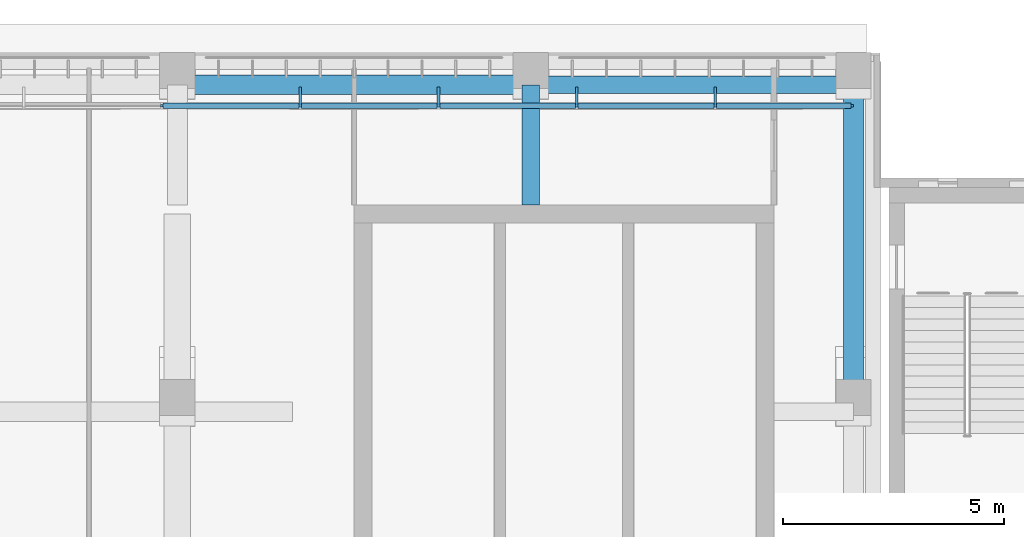
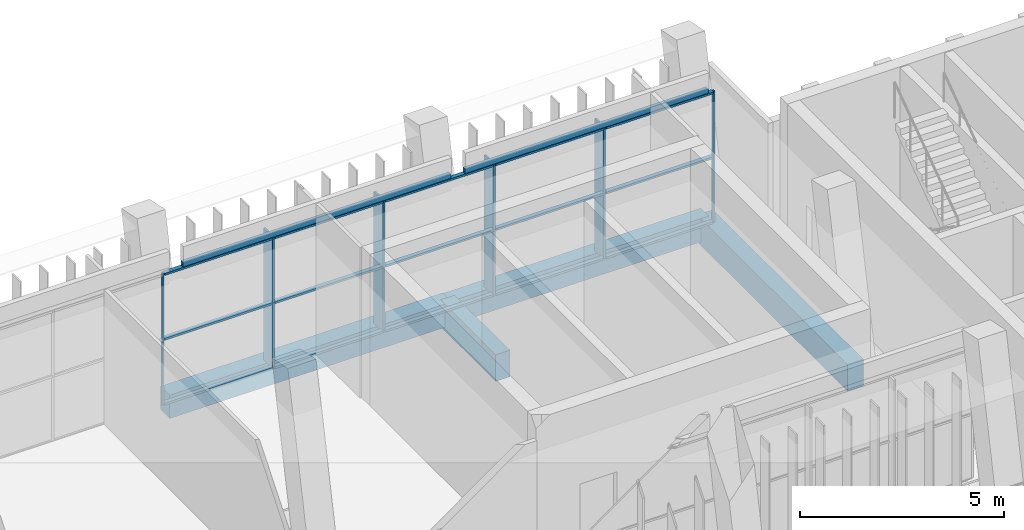
# One storey, part 47 of 89: 21 members, 6 beams, 1 element without a shape of its own.
"""IFC4 building model written with IfcOpenShell, lengths in metres."""

from ifc_helpers import new_model, si_unit, direction, frame, origin, origin_2d, place, context, subcontext, project, spatial, rectangle, hollow_rectangle, extrude, material, material_profile, profile_set, type_object, element, aggregate, save


model = new_model("IFC4")

# Units and contexts
model_context = context("Model", 3, precision=1e-05, world=origin(), true_north=direction((0.0, 1.0)))
body_context = subcontext(model_context, "Body", "Model", "MODEL_VIEW")
ifc_project = project(units=[si_unit("LENGTHUNIT", "METRE"), si_unit("AREAUNIT", "SQUARE_METRE"), si_unit("VOLUMEUNIT", "CUBIC_METRE"), si_unit("PLANEANGLEUNIT", "RADIAN"), si_unit("MASSUNIT", "GRAM", prefix="KILO")], contexts=[model_context])

# Site, building, storey
site_placement = place(None, origin())
site = spatial("IfcSite", under=ifc_project, at=site_placement, CompositionType="ELEMENT")
building_placement = place(site_placement, origin())
building = spatial("IfcBuilding", under=site, at=building_placement, Name="Lantern Court Media Centre", CompositionType="ELEMENT")
storey_placement = place(building_placement, frame((0.0, 0.0, 14.39990234375)))
storey = spatial("IfcBuildingStorey", under=building, at=storey_placement, Name="L03", CompositionType="ELEMENT", Elevation=14.39990234375)

# Curtain wall, members
ifc_material_1 = material(Name="Curtain wall bay 3000")
curtain_wall_type = type_object("IfcCurtainWallType", Name="Curtain wall bay 3000", PredefinedType="NOTDEFINED", material=ifc_material_1)
curtain_wall_placement = place(storey_placement, origin())
curtain_wall = element("IfcCurtainWall", 1, at=curtain_wall_placement, inside=storey, type_object=curtain_wall_type, Name="Curtain wall N outer L03", PredefinedType="NOTDEFINED")
ifc_material_2 = material(Name="Anodised aluminium", Category="aluminium")
ifc_material_profile_1 = material_profile(ifc_material_2, rectangle(XDim=0.449951171875, YDim=0.06005859375, at=origin_2d()), Name="AL 60x450")
ifc_profile_set_1 = profile_set([ifc_material_profile_1], Name="Anodised aluminium")
member_type_1 = type_object("IfcMemberType", Name="Curtain wall mullion 60x450", PredefinedType="MULLION", material=ifc_profile_set_1)
member_1_placement = place(storey_placement, frame((66.780029296875, 114.044921875, 0.0), z_axis=(0.0, 0.0, 1.0), x_axis=(0.0, 1.0, 0.0)))
member_1 = element("IfcMember", 2, at=member_1_placement, type_object=member_type_1, Name="CW1 mullion 7", PredefinedType="MULLION", context=body_context, shape_type="SweptSolid", body=[
    extrude(rectangle(XDim=0.449951171875, YDim=0.06005859375, at=origin_2d()), origin(), (0.0, 0.0, 1.0), 3.9501953125),
])
member_2_placement = place(storey_placement, frame((69.909912109375, 114.044921875, 0.0), z_axis=(0.0, 0.0, 1.0), x_axis=(0.0, 1.0, 0.0)))
member_2 = element("IfcMember", 3, at=member_2_placement, type_object=member_type_1, Name="CW1 mullion 8", PredefinedType="MULLION", context=body_context, shape_type="SweptSolid", body=[
    extrude(rectangle(XDim=0.449951171875, YDim=0.06005859375, at=origin_2d()), origin(), (0.0, 0.0, 1.0), 3.9501953125),
])
member_3_placement = place(storey_placement, frame((73.0400390625, 114.044921875, 0.0), z_axis=(0.0, 0.0, 1.0), x_axis=(0.0, 1.0, 0.0)))
member_3 = element("IfcMember", 4, at=member_3_placement, type_object=member_type_1, Name="CW1 mullion 9", PredefinedType="MULLION", context=body_context, shape_type="SweptSolid", body=[
    extrude(rectangle(XDim=0.449951171875, YDim=0.06005859375, at=origin_2d()), origin(), (0.0, 0.0, 1.0), 3.9501953125),
])
member_4_placement = place(storey_placement, frame((76.169921875, 114.044921875, 0.0), z_axis=(0.0, 0.0, 1.0), x_axis=(0.0, 1.0, 0.0)))
member_4 = element("IfcMember", 5, at=member_4_placement, type_object=member_type_1, Name="CW1 mullion 10", PredefinedType="MULLION", context=body_context, shape_type="SweptSolid", body=[
    extrude(rectangle(XDim=0.449951171875, YDim=0.06005859375, at=origin_2d()), origin(), (0.0, 0.0, 1.0), 3.9501953125),
])
ifc_material_profile_2 = material_profile(ifc_material_2, rectangle(XDim=0.06005859375, YDim=0.06005859375, at=origin_2d()), Name="AL 60x60")
ifc_profile_set_2 = profile_set([ifc_material_profile_2], Name="Anodised aluminium")
member_type_2 = type_object("IfcMemberType", Name="Curtain wall mullion 60x60", PredefinedType="MULLION", material=ifc_profile_set_2)
member_5_placement = place(storey_placement, frame((63.64990234375, 113.85009765625, 0.0), z_axis=(0.0, 0.0, 1.0), x_axis=(0.0, 1.0, 0.0)))
member_5 = element("IfcMember", 6, at=member_5_placement, type_object=member_type_2, Name="CW1 mullion 6", PredefinedType="MULLION", context=body_context, shape_type="SweptSolid", body=[
    extrude(rectangle(XDim=0.06005859375, YDim=0.06005859375, at=origin_2d()), origin(), (0.0, 0.0, 1.0), 3.9501953125),
])
member_6_placement = place(storey_placement, frame((79.27001953125, 113.85009765625, 0.0), z_axis=(0.0, 0.0, 1.0), x_axis=(0.0, 1.0, 0.0)))
member_6 = element("IfcMember", 7, at=member_6_placement, type_object=member_type_2, Name="CW1 mullion 11", PredefinedType="MULLION", context=body_context, shape_type="SweptSolid", body=[
    extrude(rectangle(XDim=0.06005859375, YDim=0.06005859375, at=origin_2d()), origin(), (0.0, 0.0, 1.0), 3.9501953125),
])
ifc_material_profile_3 = material_profile(ifc_material_2, rectangle(XDim=0.1201171875, YDim=0.06005859375, at=origin_2d()), Name="AL 60x120")
ifc_profile_set_3 = profile_set([ifc_material_profile_3], Name="Anodised aluminium")
member_type_3 = type_object("IfcMemberType", Name="Curtain wall transom 60x120", PredefinedType="USERDEFINED", material=ifc_profile_set_3)
member_7_placement = place(storey_placement, frame((63.679931640625, 113.85009765625, 0.030029296875), z_axis=(1.0, 0.0, 0.0), x_axis=(0.0, 1.0, 0.0)))
member_7 = element("IfcMember", 8, at=member_7_placement, type_object=member_type_3, Name="CW1 transom 6.1", ObjectType="TRANSOM", PredefinedType="USERDEFINED", context=body_context, shape_type="SweptSolid", body=[
    extrude(rectangle(XDim=0.1201171875, YDim=0.06005859375, at=origin_2d()), origin(), (0.0, 0.0, 1.0), 3.070068359375),
])
member_8_placement = place(storey_placement, frame((63.679931640625, 113.85009765625, 1.97509765625), z_axis=(1.0, 0.0, 0.0), x_axis=(0.0, 1.0, 0.0)))
member_8 = element("IfcMember", 9, at=member_8_placement, type_object=member_type_3, Name="CW1 transom 6.2", ObjectType="TRANSOM", PredefinedType="USERDEFINED", context=body_context, shape_type="SweptSolid", body=[
    extrude(rectangle(XDim=0.1201171875, YDim=0.06005859375, at=origin_2d()), origin(), (0.0, 0.0, 1.0), 3.070068359375),
])
member_9_placement = place(storey_placement, frame((63.679931640625, 113.85009765625, 3.920166015625), z_axis=(1.0, 0.0, 0.0), x_axis=(0.0, 1.0, 0.0)))
member_9 = element("IfcMember", 10, at=member_9_placement, type_object=member_type_3, Name="CW1 transom 6.3", ObjectType="TRANSOM", PredefinedType="USERDEFINED", context=body_context, shape_type="SweptSolid", body=[
    extrude(rectangle(XDim=0.1201171875, YDim=0.06005859375, at=origin_2d()), origin(), (0.0, 0.0, 1.0), 3.070068359375),
])
member_10_placement = place(storey_placement, frame((66.81005859375, 113.85009765625, 0.030029296875), z_axis=(1.0, 0.0, 0.0), x_axis=(0.0, 1.0, 0.0)))
member_10 = element("IfcMember", 11, at=member_10_placement, type_object=member_type_3, Name="CW1 transom 7.1", ObjectType="TRANSOM", PredefinedType="USERDEFINED", context=body_context, shape_type="SweptSolid", body=[
    extrude(rectangle(XDim=0.1201171875, YDim=0.06005859375, at=origin_2d()), origin(), (0.0, 0.0, 1.0), 3.06982421875),
])
member_11_placement = place(storey_placement, frame((66.81005859375, 113.85009765625, 1.97509765625), z_axis=(1.0, 0.0, 0.0), x_axis=(0.0, 1.0, 0.0)))
member_11 = element("IfcMember", 12, at=member_11_placement, type_object=member_type_3, Name="CW1 transom 7.2", ObjectType="TRANSOM", PredefinedType="USERDEFINED", context=body_context, shape_type="SweptSolid", body=[
    extrude(rectangle(XDim=0.1201171875, YDim=0.06005859375, at=origin_2d()), origin(), (0.0, 0.0, 1.0), 3.06982421875),
])
member_12_placement = place(storey_placement, frame((66.81005859375, 113.85009765625, 3.920166015625), z_axis=(1.0, 0.0, 0.0), x_axis=(0.0, 1.0, 0.0)))
member_12 = element("IfcMember", 13, at=member_12_placement, type_object=member_type_3, Name="CW1 transom 7.3", ObjectType="TRANSOM", PredefinedType="USERDEFINED", context=body_context, shape_type="SweptSolid", body=[
    extrude(rectangle(XDim=0.1201171875, YDim=0.06005859375, at=origin_2d()), origin(), (0.0, 0.0, 1.0), 3.06982421875),
])
member_13_placement = place(storey_placement, frame((69.93994140625, 113.85009765625, 0.030029296875), z_axis=(1.0, 0.0, 0.0), x_axis=(0.0, 1.0, 0.0)))
member_13 = element("IfcMember", 14, at=member_13_placement, type_object=member_type_3, Name="CW1 transom 8.1", ObjectType="TRANSOM", PredefinedType="USERDEFINED", context=body_context, shape_type="SweptSolid", body=[
    extrude(rectangle(XDim=0.1201171875, YDim=0.06005859375, at=origin_2d()), origin(), (0.0, 0.0, 1.0), 3.070068359375),
])
member_14_placement = place(storey_placement, frame((69.93994140625, 113.85009765625, 1.97509765625), z_axis=(1.0, 0.0, 0.0), x_axis=(0.0, 1.0, 0.0)))
member_14 = element("IfcMember", 15, at=member_14_placement, type_object=member_type_3, Name="CW1 transom 8.2", ObjectType="TRANSOM", PredefinedType="USERDEFINED", context=body_context, shape_type="SweptSolid", body=[
    extrude(rectangle(XDim=0.1201171875, YDim=0.06005859375, at=origin_2d()), origin(), (0.0, 0.0, 1.0), 3.070068359375),
])
member_15_placement = place(storey_placement, frame((69.93994140625, 113.85009765625, 3.920166015625), z_axis=(1.0, 0.0, 0.0), x_axis=(0.0, 1.0, 0.0)))
member_15 = element("IfcMember", 16, at=member_15_placement, type_object=member_type_3, Name="CW1 transom 8.3", ObjectType="TRANSOM", PredefinedType="USERDEFINED", context=body_context, shape_type="SweptSolid", body=[
    extrude(rectangle(XDim=0.1201171875, YDim=0.06005859375, at=origin_2d()), origin(), (0.0, 0.0, 1.0), 3.070068359375),
])
member_16_placement = place(storey_placement, frame((73.070068359375, 113.85009765625, 0.030029296875), z_axis=(1.0, 0.0, 0.0), x_axis=(0.0, 1.0, 0.0)))
member_16 = element("IfcMember", 17, at=member_16_placement, type_object=member_type_3, Name="CW1 transom 9.1", ObjectType="TRANSOM", PredefinedType="USERDEFINED", context=body_context, shape_type="SweptSolid", body=[
    extrude(rectangle(XDim=0.1201171875, YDim=0.06005859375, at=origin_2d()), origin(), (0.0, 0.0, 1.0), 3.06982421875),
])
member_17_placement = place(storey_placement, frame((73.070068359375, 113.85009765625, 1.97509765625), z_axis=(1.0, 0.0, 0.0), x_axis=(0.0, 1.0, 0.0)))
member_17 = element("IfcMember", 18, at=member_17_placement, type_object=member_type_3, Name="CW1 transom 9.2", ObjectType="TRANSOM", PredefinedType="USERDEFINED", context=body_context, shape_type="SweptSolid", body=[
    extrude(rectangle(XDim=0.1201171875, YDim=0.06005859375, at=origin_2d()), origin(), (0.0, 0.0, 1.0), 3.06982421875),
])
member_18_placement = place(storey_placement, frame((73.070068359375, 113.85009765625, 3.920166015625), z_axis=(1.0, 0.0, 0.0), x_axis=(0.0, 1.0, 0.0)))
member_18 = element("IfcMember", 19, at=member_18_placement, type_object=member_type_3, Name="CW1 transom 9.3", ObjectType="TRANSOM", PredefinedType="USERDEFINED", context=body_context, shape_type="SweptSolid", body=[
    extrude(rectangle(XDim=0.1201171875, YDim=0.06005859375, at=origin_2d()), origin(), (0.0, 0.0, 1.0), 3.06982421875),
])
member_19_placement = place(storey_placement, frame((76.199951171875, 113.85009765625, 0.030029296875), z_axis=(1.0, 0.0, 0.0), x_axis=(0.0, 1.0, 0.0)))
member_19 = element("IfcMember", 20, at=member_19_placement, type_object=member_type_3, Name="CW1 transom 10.1", ObjectType="TRANSOM", PredefinedType="USERDEFINED", context=body_context, shape_type="SweptSolid", body=[
    extrude(rectangle(XDim=0.1201171875, YDim=0.06005859375, at=origin_2d()), origin(), (0.0, 0.0, 1.0), 3.0400390625),
])
member_20_placement = place(storey_placement, frame((76.199951171875, 113.85009765625, 1.97509765625), z_axis=(1.0, 0.0, 0.0), x_axis=(0.0, 1.0, 0.0)))
member_20 = element("IfcMember", 21, at=member_20_placement, type_object=member_type_3, Name="CW1 transom 10.2", ObjectType="TRANSOM", PredefinedType="USERDEFINED", context=body_context, shape_type="SweptSolid", body=[
    extrude(rectangle(XDim=0.1201171875, YDim=0.06005859375, at=origin_2d()), origin(), (0.0, 0.0, 1.0), 3.0400390625),
])
member_21_placement = place(storey_placement, frame((76.199951171875, 113.85009765625, 3.920166015625), z_axis=(1.0, 0.0, 0.0), x_axis=(0.0, 1.0, 0.0)))
member_21 = element("IfcMember", 22, at=member_21_placement, type_object=member_type_3, Name="CW1 transom 10.3", ObjectType="TRANSOM", PredefinedType="USERDEFINED", context=body_context, shape_type="SweptSolid", body=[
    extrude(rectangle(XDim=0.1201171875, YDim=0.06005859375, at=origin_2d()), origin(), (0.0, 0.0, 1.0), 3.0400390625),
])
aggregate(curtain_wall, [member_5, member_1, member_2, member_3, member_4, member_6, member_7, member_8, member_9, member_10, member_11, member_12, member_13, member_14, member_15, member_16, member_17, member_18, member_19, member_20, member_21])

# Beams
ifc_material_3 = material(Name="Steel S355J2 (EN 10025-2)", Category="steel")
ifc_material_profile_4 = material_profile(ifc_material_3, hollow_rectangle(XDim=0.10009765625, YDim=0.14990234375, WallThickness=0.00634765625, InnerFilletRadius=0.00634765625, OuterFilletRadius=0.009521484375, at=origin_2d()), Name="Facade head lintel RHS 150x100x6.3")
ifc_profile_set_4 = profile_set([ifc_material_profile_4], Name="Steel S355J2 (EN 10025-2)")
beam_type_1 = type_object("IfcBeamType", Name="Facade head lintel RHS 150x100x6.3", PredefinedType="BEAM", material=ifc_profile_set_4)
beam_1_placement = place(storey_placement, frame((64.199951171875, 113.85009765625, 4.025146484375), z_axis=(1.0, 0.0, 0.0), x_axis=(0.0, 1.0, 0.0)))
element("IfcBeam", 23, at=beam_1_placement, inside=storey, type_object=beam_type_1, Name="Facade head lintel N L03", PredefinedType="BEAM", context=body_context, shape_type="SweptSolid", body=[
    extrude(hollow_rectangle(XDim=0.10009765625, YDim=0.14990234375, WallThickness=0.00634765625, InnerFilletRadius=0.00634765625, OuterFilletRadius=0.009521484375, at=origin_2d()), origin(), (0.0, 0.0, 1.0), 7.60009765625),
])
beam_2_placement = place(storey_placement, frame((72.199951171875, 113.85009765625, 4.025146484375), z_axis=(1.0, 0.0, 0.0), x_axis=(0.0, 1.0, 0.0)))
element("IfcBeam", 24, at=beam_2_placement, inside=storey, type_object=beam_type_1, Name="Facade head lintel N L03", PredefinedType="BEAM", context=body_context, shape_type="SweptSolid", body=[
    extrude(hollow_rectangle(XDim=0.10009765625, YDim=0.14990234375, WallThickness=0.00634765625, InnerFilletRadius=0.00634765625, OuterFilletRadius=0.009521484375, at=origin_2d()), origin(), (0.0, 0.0, 1.0), 6.900146484375),
])
ifc_material_4 = material(Name="Concrete C35", Category="concrete")
ifc_material_profile_5 = material_profile(ifc_material_4, rectangle(XDim=0.39990234375, YDim=0.699951171875, at=origin_2d()), Name="RC 400x700")
ifc_profile_set_5 = profile_set([ifc_material_profile_5], Name="Concrete C35")
beam_type_2 = type_object("IfcBeamType", Name="RC BEAM 400x700", PredefinedType="BEAM", material=ifc_profile_set_5)
beam_3_placement = place(storey_placement, frame((72.0, 114.3271484375, -0.349853515625), z_axis=(1.0, 0.0, 0.0), x_axis=(0.0, 1.0, 0.0)))
element("IfcBeam", 25, at=beam_3_placement, inside=storey, type_object=beam_type_2, Name="LB-N-L03-2-6", PredefinedType="BEAM", context=body_context, shape_type="SweptSolid", body=[
    extrude(rectangle(XDim=0.39990234375, YDim=0.699951171875, at=origin_2d()), origin(), (0.0, 0.0, 1.0), 7.300048828125),
])
ifc_material_profile_6 = material_profile(ifc_material_4, rectangle(XDim=0.39990234375, YDim=0.800048828125, at=origin_2d()), Name="RC 400x800")
ifc_profile_set_6 = profile_set([ifc_material_profile_6], Name="Concrete C35")
beam_type_3 = type_object("IfcBeamType", Name="RC BEAM 400x800", PredefinedType="BEAM", material=ifc_profile_set_6)
beam_4_placement = place(storey_placement, frame((72.0, 111.60009765625, -0.39990234375), z_axis=(0.0, 1.0, 0.0), x_axis=(-1.0, 0.0, 0.0)))
element("IfcBeam", 26, at=beam_4_placement, inside=storey, type_object=beam_type_3, Name="TB-N-L03-6-11", PredefinedType="BEAM", context=body_context, shape_type="SweptSolid", body=[
    extrude(rectangle(XDim=0.39990234375, YDim=0.800048828125, at=origin_2d()), origin(), (0.0, 0.0, 1.0), 2.716552734375),
])
ifc_material_profile_7 = material_profile(ifc_material_4, rectangle(XDim=0.449951171875, YDim=0.699951171875, at=origin_2d()), Name="RC 450x700")
ifc_profile_set_7 = profile_set([ifc_material_profile_7], Name="Concrete C35")
beam_type_4 = type_object("IfcBeamType", Name="RC BEAM 450x700", PredefinedType="BEAM", material=ifc_profile_set_7)
beam_5_placement = place(storey_placement, frame((64.0, 114.3271484375, -0.349853515625), z_axis=(1.0, 0.0, 0.0), x_axis=(0.0, 1.0, 0.0)))
element("IfcBeam", 27, at=beam_5_placement, inside=storey, type_object=beam_type_4, Name="LB-N-L03-2-5", PredefinedType="BEAM", context=body_context, shape_type="SweptSolid", body=[
    extrude(rectangle(XDim=0.449951171875, YDim=0.699951171875, at=origin_2d()), origin(), (0.0, 0.0, 1.0), 8.0),
])
ifc_material_profile_8 = material_profile(ifc_material_4, rectangle(XDim=0.449951171875, YDim=0.800048828125, at=origin_2d()), Name="RC 450x800")
ifc_profile_set_8 = profile_set([ifc_material_profile_8], Name="Concrete C35")
beam_type_5 = type_object("IfcBeamType", Name="RC BEAM 450x800", PredefinedType="BEAM", material=ifc_profile_set_8)
beam_6_placement = place(storey_placement, frame((79.300048828125, 106.916748046875, -0.39990234375), z_axis=(0.0, 1.0, 0.0), x_axis=(-1.0, 0.0, 0.0)))
element("IfcBeam", 28, at=beam_6_placement, inside=storey, type_object=beam_type_5, Name="TB-N-L03-7-2", PredefinedType="BEAM", context=body_context, shape_type="SweptSolid", body=[
    extrude(rectangle(XDim=0.449951171875, YDim=0.800048828125, at=origin_2d()), origin(), (0.0, 0.0, 1.0), 7.39990234375),
])

save(model, "model.ifc")
